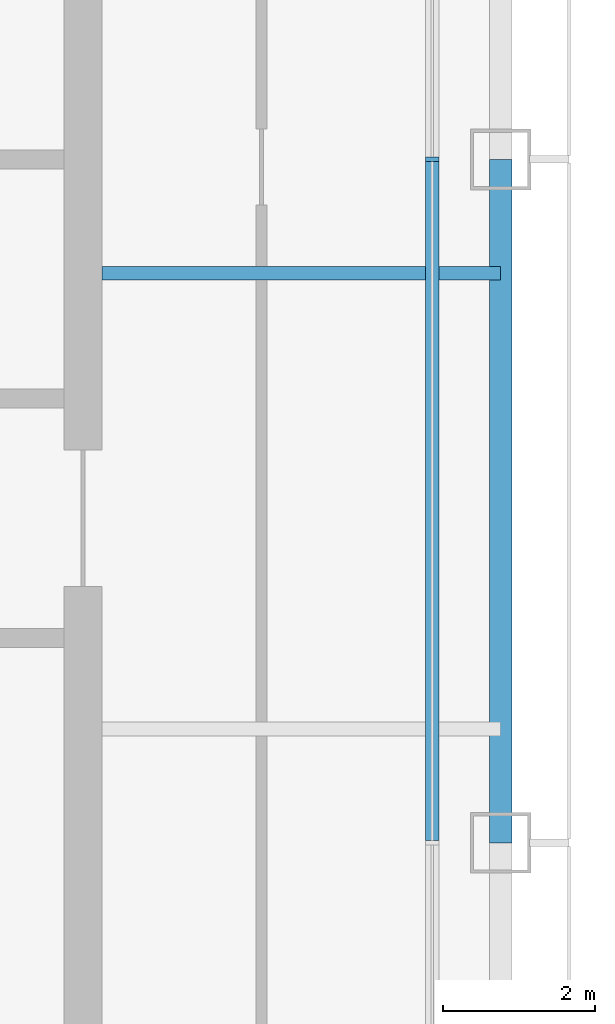
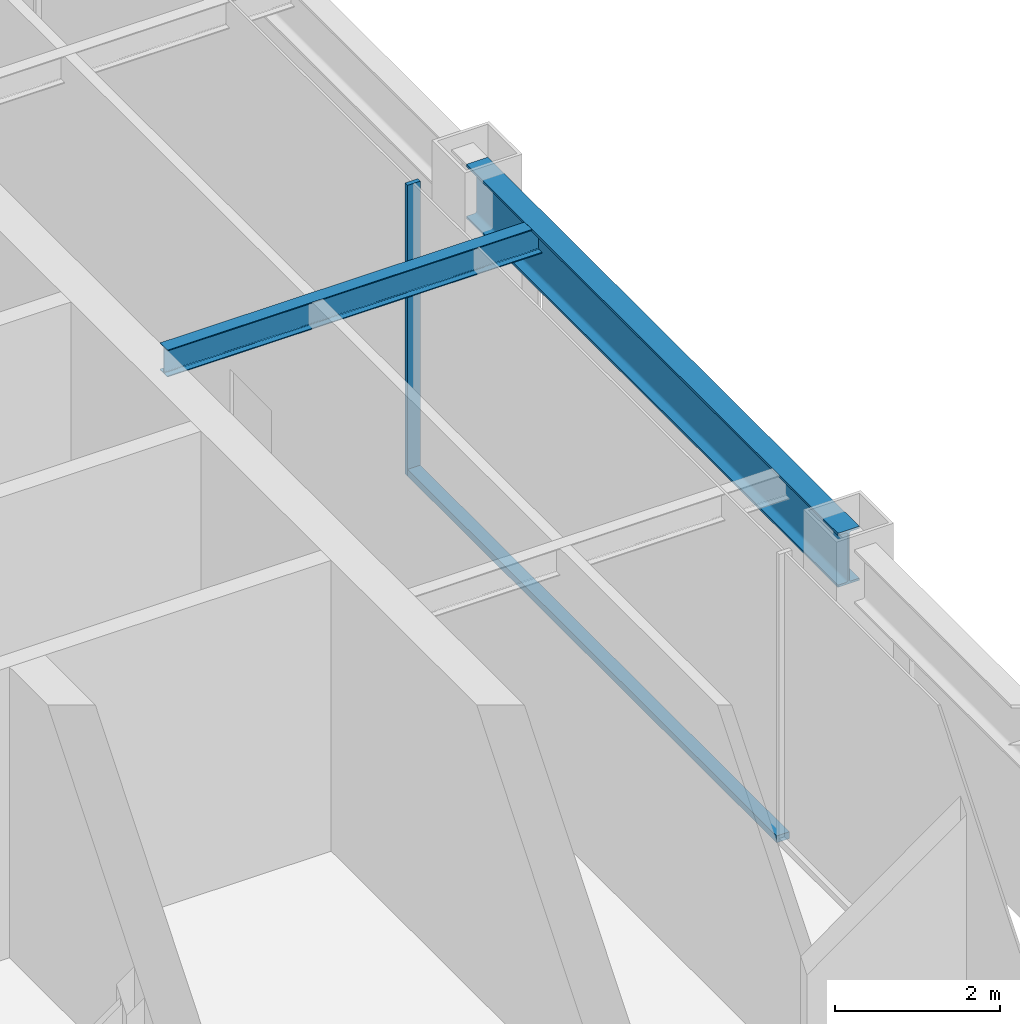
# One storey, part 5 of 23: 2 beams, 2 members, 1 element without a shape of its own.
"""IFC4 building model written with IfcOpenShell, lengths in metres."""

from ifc_helpers import new_model, si_unit, direction, frame, origin, origin_2d, place, context, subcontext, project, spatial, rectangle, i_section, extrude, material, layer, layer_set, material_profile, profile_set, type_object, element, aggregate, save


model = new_model("IFC4")

# Units and contexts
model_context = context("Model", 3, precision=1e-05, world=origin(), true_north=direction((0.0, 1.0)))
body_context = subcontext(model_context, "Body", "Model", "MODEL_VIEW")
ifc_project = project(units=[si_unit("LENGTHUNIT", "METRE"), si_unit("AREAUNIT", "SQUARE_METRE"), si_unit("VOLUMEUNIT", "CUBIC_METRE"), si_unit("PLANEANGLEUNIT", "RADIAN"), si_unit("MASSUNIT", "GRAM", prefix="KILO")], contexts=[model_context])

# Site, building, storey
site_placement = place(None, origin())
site = spatial("IfcSite", under=ifc_project, at=site_placement, CompositionType="ELEMENT")
building_placement = place(site_placement, origin())
building = spatial("IfcBuilding", under=site, at=building_placement, Name="Siwar Civic Tower", CompositionType="ELEMENT")
storey_placement = place(building_placement, frame((0.0, 0.0, 273.699951171875)))
storey = spatial("IfcBuildingStorey", under=building, at=storey_placement, Name="L59", CompositionType="ELEMENT", Elevation=273.699951171875)

# Curtain wall, members
ifc_material_1 = material(Name="Aluminium and glass", Category="aluminium")
ifc_layer = layer(ifc_material_1, 0.179931640625)
ifc_layer_set = layer_set([ifc_layer], Name="Aluminium and glass")
curtain_wall_type = type_object("IfcCurtainWallType", Name="ENV-CW-C", PredefinedType="NOTDEFINED", material=ifc_layer_set)
curtain_wall_placement = place(storey_placement, origin())
curtain_wall = element("IfcCurtainWall", 1, at=curtain_wall_placement, inside=storey, type_object=curtain_wall_type, Name="Curtain wall C E", PredefinedType="NOTDEFINED")
ifc_material_2 = material(Name="Aluminium 6063-T6", Category="aluminium")
ifc_material_profile_1 = material_profile(ifc_material_2, rectangle(XDim=0.179931640625, YDim=0.06005859375, at=origin_2d()), Name="AL 180x60")
ifc_profile_set_1 = profile_set([ifc_material_profile_1], Name="Aluminium 6063-T6")
member_type_1 = type_object("IfcMemberType", Name="ENV-MULLION-C", PredefinedType="MULLION", material=ifc_profile_set_1)
member_1_placement = place(storey_placement, frame((26.10009765625, 0.0, 0.0), z_axis=(0.0, 0.0, 1.0), x_axis=(-1.0, 0.0, 0.0)))
member_1 = element("IfcMember", 2, at=member_1_placement, type_object=member_type_1, Name="Mullion C E 3", PredefinedType="MULLION", context=body_context, shape_type="SweptSolid", body=[
    extrude(rectangle(XDim=0.179931640625, YDim=0.06005859375, at=origin_2d()), origin(), (0.0, 0.0, 1.0), 4.300048828125),
])
ifc_material_3 = material(Name="Aluminium 6063-T6", Category="aluminium")
ifc_material_profile_2 = material_profile(ifc_material_3, rectangle(XDim=0.179931640625, YDim=0.10009765625, at=origin_2d()), Name="AL 180x100")
ifc_profile_set_2 = profile_set([ifc_material_profile_2], Name="Aluminium 6063-T6")
member_type_2 = type_object("IfcMemberType", Name="ENV-TRANSOM-C", PredefinedType="USERDEFINED", material=ifc_profile_set_2)
member_2_placement = place(storey_placement, frame((26.10009765625, -8.969970703125, 0.050048828125), z_axis=(0.0, 1.0, 0.0), x_axis=(-1.0, 0.0, 0.0)))
member_2 = element("IfcMember", 3, at=member_2_placement, type_object=member_type_2, Name="Transom C E 2", ObjectType="TRANSOM", PredefinedType="USERDEFINED", context=body_context, shape_type="SweptSolid", body=[
    extrude(rectangle(XDim=0.179931640625, YDim=0.10009765625, at=origin_2d()), origin(), (0.0, 0.0, 1.0), 8.93994140625),
])
aggregate(curtain_wall, [member_1, member_2])

# Beams
ifc_material_4 = material(Name="Steel S355", Category="steel")
ifc_material_profile_3 = material_profile(ifc_material_4, i_section(OverallWidth=0.179931640625, OverallDepth=0.39990234375, WebThickness=0.008544921875, FlangeThickness=0.013427734375, FilletRadius=0.02099609375, at=origin_2d()), Name="IPE400")
ifc_profile_set_3 = profile_set([ifc_material_profile_3], Name="Steel S355")
beam_type_1 = type_object("IfcBeamType", Name="STR-FB-IPE400", PredefinedType="JOIST", material=ifc_profile_set_3)
beam_1_placement = place(storey_placement, frame((21.75, -1.5, 4.10009765625), z_axis=(1.0, 0.0, 0.0), x_axis=(0.0, 1.0, 0.0)))
element("IfcBeam", 4, at=beam_1_placement, inside=storey, type_object=beam_type_1, Name="L59/bm/F024", PredefinedType="JOIST", context=body_context, shape_type="SweptSolid", body=[
    extrude(i_section(OverallWidth=0.179931640625, OverallDepth=0.39990234375, WebThickness=0.008544921875, FlangeThickness=0.013427734375, FilletRadius=0.02099609375, at=origin_2d()), origin(), (0.0, 0.0, 1.0), 5.25),
])
ifc_material_5 = material(Name="Steel S355", Category="steel")
ifc_material_profile_4 = material_profile(ifc_material_5, i_section(OverallWidth=0.300048828125, OverallDepth=0.800048828125, WebThickness=0.017578125, FlangeThickness=0.032958984375, FilletRadius=0.030029296875, at=origin_2d()), Name="HEB800")
ifc_profile_set_4 = profile_set([ifc_material_profile_4], Name="Steel S355")
beam_type_2 = type_object("IfcBeamType", Name="STR-SB-HEB800", PredefinedType="BEAM", material=ifc_profile_set_4)
beam_2_placement = place(storey_placement, frame((27.0, -9.0, 3.900146484375), z_axis=(0.0, 1.0, 0.0), x_axis=(-1.0, 0.0, 0.0)))
element("IfcBeam", 5, at=beam_2_placement, inside=storey, type_object=beam_type_2, Name="L59/bm/SE-1", PredefinedType="BEAM", context=body_context, shape_type="SweptSolid", body=[
    extrude(i_section(OverallWidth=0.300048828125, OverallDepth=0.800048828125, WebThickness=0.017578125, FlangeThickness=0.032958984375, FilletRadius=0.030029296875, at=origin_2d()), origin(), (0.0, 0.0, 1.0), 9.0),
])

save(model, "model.ifc")
